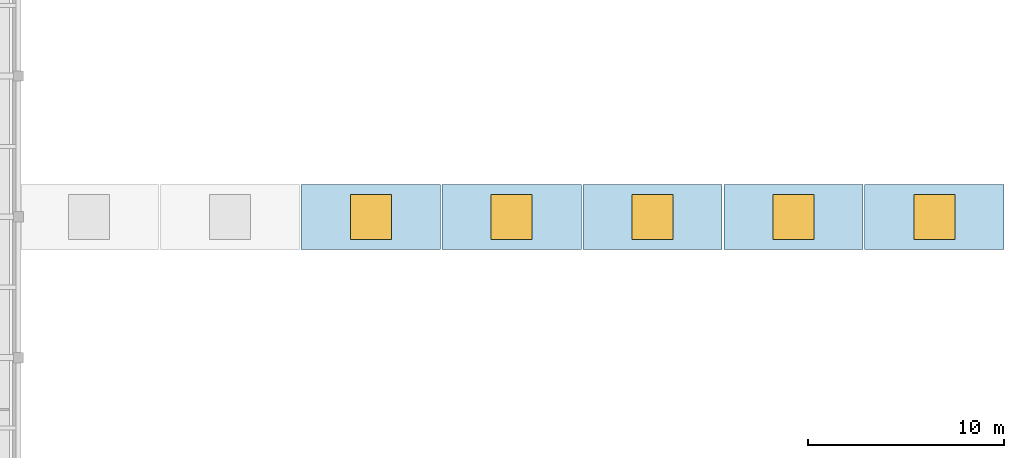
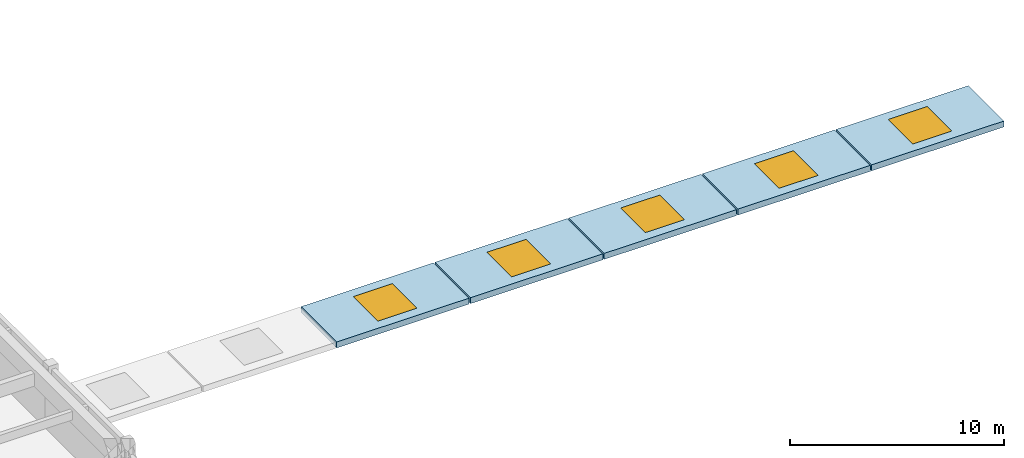
# One storey, part 37 of 74: 5 slabs, 5 windows, 5 openings.
"""IFC4 building model written with IfcOpenShell, lengths in metres."""

from ifc_helpers import new_model, si_unit, direction, frame, origin, origin_2d, place, context, subcontext, project, spatial, polyline, rectangle, outline, extrude, material, layer, layer_set, type_object, element, fill, save


model = new_model("IFC4")

# Units and contexts
model_context = context("Model", 3, precision=1e-05, world=origin(), true_north=direction((0.0, 1.0)))
body_context = subcontext(model_context, "Body", "Model", "MODEL_VIEW")
ifc_project = project(units=[si_unit("LENGTHUNIT", "METRE"), si_unit("AREAUNIT", "SQUARE_METRE"), si_unit("VOLUMEUNIT", "CUBIC_METRE"), si_unit("PLANEANGLEUNIT", "RADIAN"), si_unit("MASSUNIT", "GRAM", prefix="KILO")], contexts=[model_context])

# Site, building, storey
site_placement = place(None, origin())
site = spatial("IfcSite", under=ifc_project, at=site_placement, CompositionType="ELEMENT")
building_placement = place(site_placement, origin())
building = spatial("IfcBuilding", under=site, at=building_placement, Name="Alvorim Cloister Faculty of Sciences", CompositionType="ELEMENT")
storey_placement = place(building_placement, frame((0.0, 0.0, 15.75)))
storey = spatial("IfcBuildingStorey", under=building, at=storey_placement, Name="L04", CompositionType="ELEMENT", Elevation=15.75)

# Slab, opening, window
ifc_material_1 = material(Name="Concrete C40", Category="concrete")
ifc_layer = layer(ifc_material_1, 0.340087890625)
ifc_layer_set = layer_set([ifc_layer], Name="Concrete C40")
slab_type = type_object("IfcSlabType", Name="SL-ROOF-340", PredefinedType="ROOF", material=ifc_layer_set)
slab_1_placement = place(storey_placement, frame((0.0, 0.0, 0.3642578125)))
slab_1 = element("IfcSlab", 1, at=slab_1_placement, inside=storey, type_object=slab_type, Name="SH-V1 Skylight Lantern Crest Deck 3", PredefinedType="ROOF", context=body_context, shape_type="SweptSolid", body=[
    extrude(outline(polyline([(129.639892578125, 12.739990234375), (136.760009765625, 12.739990234375), (136.760009765625, 16.06005859375), (129.639892578125, 16.06005859375), (129.639892578125, 12.739990234375)])), origin(), (0.0, 0.0, 1.0), 0.33984375),
])
opening_1_placement = place(slab_1_placement, frame((133.199951171875, 14.39990234375, -0.011962890625)))
opening_1 = element("IfcOpeningElement", 2, at=opening_1_placement, cuts=slab_1, Name="Opening SK-15", PredefinedType="OPENING", context=body_context, shape_type="SweptSolid", body=[
    extrude(rectangle(XDim=2.10009765625, YDim=2.300048828125, at=origin_2d()), origin(), (0.0, 0.0, 1.0), 0.36376953125),
])
ifc_material_2 = material(Name="Double Low-E Laminated Glass", Category="glass")
window_type = type_object("IfcWindowType", Name="WN-SKY-2100x2300", PartitioningType="SINGLE_PANEL", PredefinedType="SKYLIGHT", material=ifc_material_2)
window_1_placement = place(slab_1_placement, frame((133.199951171875, 14.39990234375, 0.289794921875)))
window_1 = element("IfcWindow", 3, at=window_1_placement, inside=storey, type_object=window_type, Name="Lantern Crest Skylight SK-15", OverallHeight=2.300048828125, OverallWidth=2.10009765625, PartitioningType="SINGLE_PANEL", PredefinedType="SKYLIGHT", context=body_context, shape_type="SweptSolid", body=[
    extrude(rectangle(XDim=2.10009765625, YDim=2.300048828125, at=origin_2d()), origin(), (0.0, 0.0, 1.0), 0.050048828125),
])
fill(opening_1, window_1)

slab_2_placement = place(storey_placement, frame((0.0, 0.0, 0.3642578125)))
slab_2 = element("IfcSlab", 4, at=slab_2_placement, inside=storey, type_object=slab_type, Name="SH-V1 Skylight Lantern Crest Deck 4", PredefinedType="ROOF", context=body_context, shape_type="SweptSolid", body=[
    extrude(outline(polyline([(136.840087890625, 12.739990234375), (143.9599609375, 12.739990234375), (143.9599609375, 16.06005859375), (136.840087890625, 16.06005859375), (136.840087890625, 12.739990234375)])), origin(), (0.0, 0.0, 1.0), 0.33984375),
])
opening_2_placement = place(slab_2_placement, frame((140.39990234375, 14.39990234375, -0.011962890625)))
opening_2 = element("IfcOpeningElement", 5, at=opening_2_placement, cuts=slab_2, Name="Opening SK-16", PredefinedType="OPENING", context=body_context, shape_type="SweptSolid", body=[
    extrude(rectangle(XDim=2.10009765625, YDim=2.300048828125, at=origin_2d()), origin(), (0.0, 0.0, 1.0), 0.36376953125),
])
window_2_placement = place(slab_2_placement, frame((140.39990234375, 14.39990234375, 0.289794921875)))
window_2 = element("IfcWindow", 6, at=window_2_placement, inside=storey, type_object=window_type, Name="Lantern Crest Skylight SK-16", OverallHeight=2.300048828125, OverallWidth=2.10009765625, PartitioningType="SINGLE_PANEL", PredefinedType="SKYLIGHT", context=body_context, shape_type="SweptSolid", body=[
    extrude(rectangle(XDim=2.10009765625, YDim=2.300048828125, at=origin_2d()), origin(), (0.0, 0.0, 1.0), 0.050048828125),
])
fill(opening_2, window_2)

slab_3_placement = place(storey_placement, frame((0.0, 0.0, 0.3642578125)))
slab_3 = element("IfcSlab", 7, at=slab_3_placement, inside=storey, type_object=slab_type, Name="SH-V1 Skylight Lantern Crest Deck 5", PredefinedType="ROOF", context=body_context, shape_type="SweptSolid", body=[
    extrude(outline(polyline([(144.0400390625, 12.739990234375), (151.159912109375, 12.739990234375), (151.159912109375, 16.06005859375), (144.0400390625, 16.06005859375), (144.0400390625, 12.739990234375)])), origin(), (0.0, 0.0, 1.0), 0.33984375),
])
opening_3_placement = place(slab_3_placement, frame((147.60009765625, 14.39990234375, -0.011962890625)))
opening_3 = element("IfcOpeningElement", 8, at=opening_3_placement, cuts=slab_3, Name="Opening SK-17", PredefinedType="OPENING", context=body_context, shape_type="SweptSolid", body=[
    extrude(rectangle(XDim=2.10009765625, YDim=2.300048828125, at=origin_2d()), origin(), (0.0, 0.0, 1.0), 0.36376953125),
])
window_3_placement = place(slab_3_placement, frame((147.60009765625, 14.39990234375, 0.289794921875)))
window_3 = element("IfcWindow", 9, at=window_3_placement, inside=storey, type_object=window_type, Name="Lantern Crest Skylight SK-17", OverallHeight=2.300048828125, OverallWidth=2.10009765625, PartitioningType="SINGLE_PANEL", PredefinedType="SKYLIGHT", context=body_context, shape_type="SweptSolid", body=[
    extrude(rectangle(XDim=2.10009765625, YDim=2.300048828125, at=origin_2d()), origin(), (0.0, 0.0, 1.0), 0.050048828125),
])
fill(opening_3, window_3)

slab_4_placement = place(storey_placement, frame((0.0, 0.0, 0.3642578125)))
slab_4 = element("IfcSlab", 10, at=slab_4_placement, inside=storey, type_object=slab_type, Name="SH-V1 Skylight Lantern Crest Deck 6", PredefinedType="ROOF", context=body_context, shape_type="SweptSolid", body=[
    extrude(outline(polyline([(151.239990234375, 12.739990234375), (158.360107421875, 12.739990234375), (158.360107421875, 16.06005859375), (151.239990234375, 16.06005859375), (151.239990234375, 12.739990234375)])), origin(), (0.0, 0.0, 1.0), 0.33984375),
])
opening_4_placement = place(slab_4_placement, frame((154.800048828125, 14.39990234375, -0.011962890625)))
opening_4 = element("IfcOpeningElement", 11, at=opening_4_placement, cuts=slab_4, Name="Opening SK-18", PredefinedType="OPENING", context=body_context, shape_type="SweptSolid", body=[
    extrude(rectangle(XDim=2.10009765625, YDim=2.300048828125, at=origin_2d()), origin(), (0.0, 0.0, 1.0), 0.36376953125),
])
window_4_placement = place(slab_4_placement, frame((154.800048828125, 14.39990234375, 0.289794921875)))
window_4 = element("IfcWindow", 12, at=window_4_placement, inside=storey, type_object=window_type, Name="Lantern Crest Skylight SK-18", OverallHeight=2.300048828125, OverallWidth=2.10009765625, PartitioningType="SINGLE_PANEL", PredefinedType="SKYLIGHT", context=body_context, shape_type="SweptSolid", body=[
    extrude(rectangle(XDim=2.10009765625, YDim=2.300048828125, at=origin_2d()), origin(), (0.0, 0.0, 1.0), 0.050048828125),
])
fill(opening_4, window_4)

slab_5_placement = place(storey_placement, frame((0.0, 0.0, 0.3642578125)))
slab_5 = element("IfcSlab", 13, at=slab_5_placement, inside=storey, type_object=slab_type, Name="SH-V1 Skylight Lantern Crest Deck 7", PredefinedType="ROOF", context=body_context, shape_type="SweptSolid", body=[
    extrude(outline(polyline([(158.43994140625, 12.739990234375), (165.56005859375, 12.739990234375), (165.56005859375, 16.06005859375), (158.43994140625, 16.06005859375), (158.43994140625, 12.739990234375)])), origin(), (0.0, 0.0, 1.0), 0.33984375),
])
opening_5_placement = place(slab_5_placement, frame((162.0, 14.39990234375, -0.011962890625)))
opening_5 = element("IfcOpeningElement", 14, at=opening_5_placement, cuts=slab_5, Name="Opening SK-19", PredefinedType="OPENING", context=body_context, shape_type="SweptSolid", body=[
    extrude(rectangle(XDim=2.10009765625, YDim=2.300048828125, at=origin_2d()), origin(), (0.0, 0.0, 1.0), 0.36376953125),
])
window_5_placement = place(slab_5_placement, frame((162.0, 14.39990234375, 0.289794921875)))
window_5 = element("IfcWindow", 15, at=window_5_placement, inside=storey, type_object=window_type, Name="Lantern Crest Skylight SK-19", OverallHeight=2.300048828125, OverallWidth=2.10009765625, PartitioningType="SINGLE_PANEL", PredefinedType="SKYLIGHT", context=body_context, shape_type="SweptSolid", body=[
    extrude(rectangle(XDim=2.10009765625, YDim=2.300048828125, at=origin_2d()), origin(), (0.0, 0.0, 1.0), 0.050048828125),
])
fill(opening_5, window_5)

save(model, "model.ifc")
